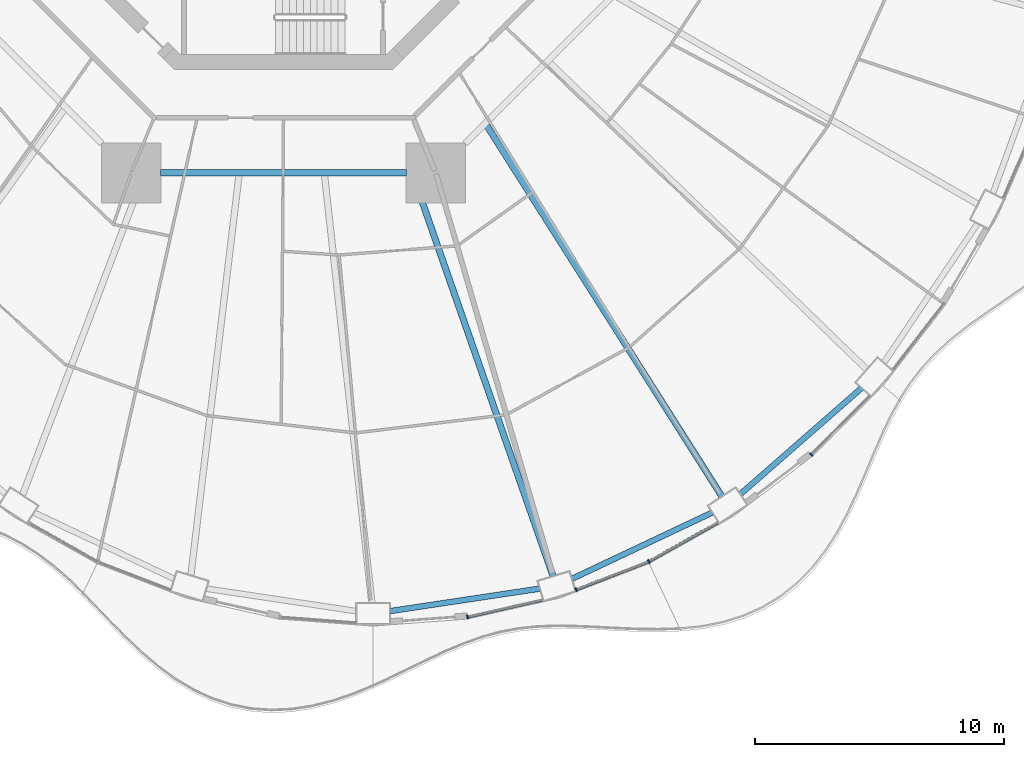
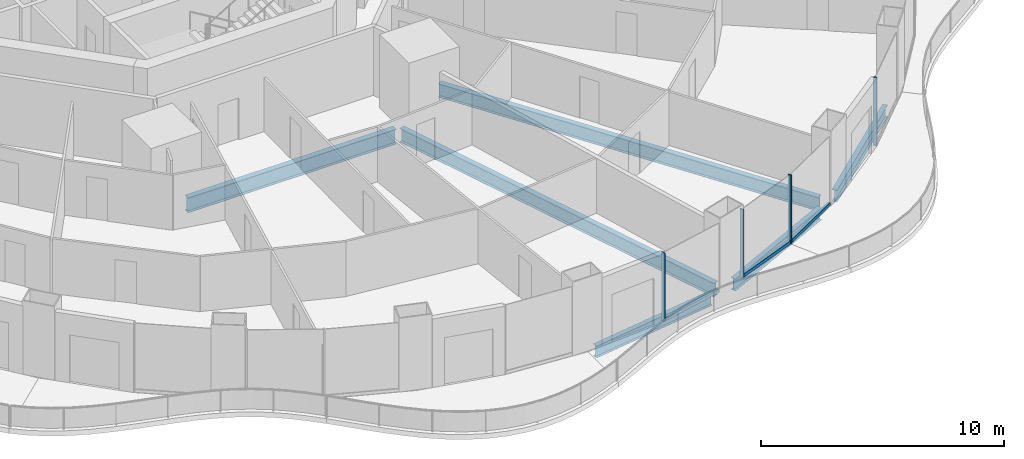
# One storey, part 4 of 22: 7 members, 6 beams, 4 elements without a shape of their own.
"""IFC4 building model written with IfcOpenShell, lengths in metres."""

import ifcopenshell
import ifcopenshell.guid

model = None  # the IFC model being written
_history = None  # IfcOwnerHistory: only IFC2X3 demands one
_inside = {}  # id of a spatial element -> (the spatial element, [elements in it])
_under = {}  # id of a project, library or spatial element -> (it, [spatial elements below it])
_declared = {}  # id of a project -> (the project, [libraries it declares])
_typed = {}  # id of a type object -> (the type object, [elements of that type])
_made_of = {}  # id of a material, layer set ... -> (it, [elements and type objects made of it])


def new_model(schema):
    """Start an empty IFC model of exactly this schema.

    Asked for "IFC4X3", IfcOpenShell would pick the latest addendum, in which some entities
    have other attributes; the version numbers below select the first issue.
    IFC2X3 requires an IfcOwnerHistory on every rooted entity: one is made here for all.
    """
    global model, _history
    if schema == "IFC4X3":
        model = ifcopenshell.file(schema_version=(4, 3, 0, 0))
    else:
        model = ifcopenshell.file(schema=schema)
    _inside.clear()
    _under.clear()
    _declared.clear()
    _typed.clear()
    _made_of.clear()
    _history = None
    if model.schema == "IFC2X3":
        org = make("IfcOrganization", Name="unknown")
        user = make(
            "IfcPersonAndOrganization",
            ThePerson=make("IfcPerson", FamilyName="unknown"),
            TheOrganization=org,
        )
        app = make(
            "IfcApplication",
            ApplicationDeveloper=org,
            Version="unknown",
            ApplicationFullName="unknown",
            ApplicationIdentifier="unknown",
        )
        _history = make(
            "IfcOwnerHistory",
            OwningUser=user,
            OwningApplication=app,
            ChangeAction="ADDED",
            CreationDate=0,
        )
    return model


def make(cls, **values):
    """One entity of the class cls with the attributes given. An attribute that is None is left unset."""
    return model.create_entity(
        cls, **{name: value for name, value in values.items() if value is not None}
    )


def rooted(cls, **values):
    """An entity with a GlobalId (a new one), such as an element, a storey or a relation."""
    return make(cls, GlobalId=ifcopenshell.guid.new(), OwnerHistory=_history, **values)


def si_unit(unit_type, name, prefix=None):
    """IfcSIUnit, for example si_unit("LENGTHUNIT", "METRE", prefix="MILLI")."""
    return make("IfcSIUnit", UnitType=unit_type, Prefix=prefix, Name=name)


def assignment(units):
    """IfcUnitAssignment: the units of a project."""
    return None if units is None else make("IfcUnitAssignment", Units=units)


def point(xyz):
    """IfcCartesianPoint."""
    return None if xyz is None else make("IfcCartesianPoint", Coordinates=xyz)


def direction(xyz):
    """IfcDirection."""
    return None if xyz is None else make("IfcDirection", DirectionRatios=xyz)


def frame(location, z_axis=None, x_axis=None):
    """IfcAxis2Placement3D, a coordinate frame: its origin and axes. An axis left out is left unset."""
    return make(
        "IfcAxis2Placement3D",
        Location=point(location),
        Axis=direction(z_axis),
        RefDirection=direction(x_axis),
    )


def frame_2d(location, x_axis=None):
    """IfcAxis2Placement2D, a coordinate frame in the plane: its origin and x axis."""
    return make(
        "IfcAxis2Placement2D", Location=point(location), RefDirection=direction(x_axis)
    )


def origin():
    """The frame at (0, 0, 0) with its axes left unset."""
    return frame((0.0, 0.0, 0.0))


def origin_2d():
    """The frame at (0, 0) in the plane with its x axis left unset."""
    return frame_2d((0.0, 0.0))


def place(relative_to, where):
    """IfcLocalPlacement: puts the frame where relative to a parent placement (None: the world)."""
    return make(
        "IfcLocalPlacement", PlacementRelTo=relative_to, RelativePlacement=where
    )


def context(
    kind, dimensions, precision=None, world=None, true_north=None, identifier=None
):
    """IfcGeometricRepresentationContext, for example the 3D "Model" context."""
    return make(
        "IfcGeometricRepresentationContext",
        ContextIdentifier=identifier,
        ContextType=kind,
        CoordinateSpaceDimension=dimensions,
        Precision=precision,
        WorldCoordinateSystem=world,
        TrueNorth=true_north,
    )


def subcontext(parent, identifier, kind, view, scale=None):
    """IfcGeometricRepresentationSubContext, for example "Body" below "Model"."""
    return make(
        "IfcGeometricRepresentationSubContext",
        ContextIdentifier=identifier,
        ContextType=kind,
        ParentContext=parent,
        TargetScale=scale,
        TargetView=view,
    )


def project(units=None, contexts=None):
    """IfcProject with its units and contexts."""
    return rooted(
        "IfcProject",
        Name="project",
        RepresentationContexts=contexts,
        UnitsInContext=assignment(units),
    )


def spatial(cls, under=None, at=None, **own):
    """A site, building, storey or space (cls), placed at a placement, below another one or the project."""
    s = rooted(cls, ObjectPlacement=at, **own)
    if under is not None:
        _under.setdefault(under.id(), (under, []))[1].append(s)
    return s


def profile(cls, at=None, kind="AREA", **sizes):
    """A parametric profile (cls). Its sizes go by their IFC names, for example OverallWidth=200.0."""
    return make(cls, ProfileType=kind, Position=at, **sizes)


def rectangle(**sizes):
    """IfcRectangleProfileDef."""
    return profile("IfcRectangleProfileDef", **sizes)


def i_section(**sizes):
    """IfcIShapeProfileDef."""
    return profile("IfcIShapeProfileDef", **sizes)


def extrude(swept, where, along, depth):
    """IfcExtrudedAreaSolid: the profile swept, set in the frame where, extruded along a direction by depth."""
    return make(
        "IfcExtrudedAreaSolid",
        SweptArea=swept,
        Position=where,
        ExtrudedDirection=direction(along),
        Depth=depth,
    )


def shape(context_of_items, identifier, shape_type, items):
    """IfcShapeRepresentation: the items that make up one representation, for example the "Body"."""
    return make(
        "IfcShapeRepresentation",
        ContextOfItems=context_of_items,
        RepresentationIdentifier=identifier,
        RepresentationType=shape_type,
        Items=items,
    )


def material(Name=None, Category=None):
    """IfcMaterial."""
    return make("IfcMaterial", Name=Name, Category=Category)


def layer(
    of_material, thickness, ventilated=None, Name=None, Category=None, Priority=None
):
    """IfcMaterialLayer: one layer of a wall or slab, of a material (None: an air gap)."""
    return make(
        "IfcMaterialLayer",
        Material=of_material,
        LayerThickness=thickness,
        IsVentilated=ventilated,
        Name=Name,
        Category=Category,
        Priority=Priority,
    )


def layer_set(layers, Name=None):
    """IfcMaterialLayerSet."""
    return make("IfcMaterialLayerSet", MaterialLayers=layers, LayerSetName=Name)


def material_profile(
    of_material, cross_section, Name=None, Category=None, Priority=None
):
    """IfcMaterialProfile: a cross section and its material."""
    return make(
        "IfcMaterialProfile",
        Name=Name,
        Material=of_material,
        Profile=cross_section,
        Priority=Priority,
        Category=Category,
    )


def profile_set(profiles, Name=None, composite=None):
    """IfcMaterialProfileSet."""
    return make(
        "IfcMaterialProfileSet",
        Name=Name,
        MaterialProfiles=profiles,
        CompositeProfile=composite,
    )


def made_of(thing, what):
    """Note that an element or type object is made of a material, layer set ...; save() writes the relation."""
    if what is not None:
        _made_of.setdefault(what.id(), (what, []))[1].append(thing)
    return thing


def type_object(cls, material=None, **own):
    """A type object (cls), such as IfcWallType, which elements share."""
    return made_of(rooted(cls, **own), material)


def element(
    cls,
    number,
    at=None,
    inside=None,
    cuts=None,
    type_object=None,
    material=None,
    context=None,
    identifier="Body",
    shape_type=None,
    held_by="IfcProductDefinitionShape",
    body=None,
    shapes=None,
    **own,
):
    """One element of the class cls, such as IfcWall. Its Tag is "e" and its number.

    at: its placement. inside: the storey or other place that contains it. cuts: it is an
    opening in that element (IfcRelVoidsElement). A single representation is given by context,
    identifier, shape_type and body (its items); several are given by shapes. held_by: the class
    of the entity that holds the representations. save() writes the other relations.
    """
    e = rooted(cls, Tag="e%d" % number, ObjectPlacement=at, **own)
    if body is not None:
        shapes = [shape(context, identifier, shape_type, body)]
    if shapes is not None:
        e.Representation = make(held_by, Representations=shapes)
    if inside is not None:
        _inside.setdefault(inside.id(), (inside, []))[1].append(e)
    if cuts is not None:
        rooted(
            "IfcRelVoidsElement", RelatingBuildingElement=cuts, RelatedOpeningElement=e
        )
    if type_object is not None:
        _typed.setdefault(type_object.id(), (type_object, []))[1].append(e)
    return made_of(e, material)


def aggregate(whole, parts):
    """IfcRelAggregates: a whole, such as a stair, and the parts it consists of."""
    return rooted("IfcRelAggregates", RelatingObject=whole, RelatedObjects=parts)


def save(model, path):
    """Write the relations noted so far, then the file.

    IfcRelAggregates (storeys below a building ...), IfcRelContainedInSpatialStructure (elements
    in a storey), IfcRelDefinesByType, IfcRelAssociatesMaterial and IfcRelDeclares: one each for
    every whole, place, type object, material and project.
    """
    for whole, parts in _under.values():
        aggregate(whole, parts)
    for where, things in _inside.values():
        rooted(
            "IfcRelContainedInSpatialStructure",
            RelatedElements=things,
            RelatingStructure=where,
        )
    for kind, things in _typed.values():
        rooted("IfcRelDefinesByType", RelatedObjects=things, RelatingType=kind)
    for what, things in _made_of.values():
        rooted("IfcRelAssociatesMaterial", RelatedObjects=things, RelatingMaterial=what)
    for by, libraries in _declared.values():
        rooted("IfcRelDeclares", RelatingContext=by, RelatedDefinitions=libraries)
    model.write(path)


model = new_model("IFC4")

# Units and contexts
model_context = context("Model", 3, precision=1e-05, world=origin(), true_north=direction((0.0, 1.0)))
body_context = subcontext(model_context, "Body", "Model", "MODEL_VIEW")
ifc_project = project(units=[si_unit("LENGTHUNIT", "METRE"), si_unit("AREAUNIT", "SQUARE_METRE"), si_unit("VOLUMEUNIT", "CUBIC_METRE"), si_unit("PLANEANGLEUNIT", "RADIAN"), si_unit("MASSUNIT", "GRAM", prefix="KILO")], contexts=[model_context])

# Site, building, storey
site_placement = place(None, origin())
site = spatial("IfcSite", under=ifc_project, at=site_placement, CompositionType="ELEMENT")
building_placement = place(site_placement, origin())
building = spatial("IfcBuilding", under=site, at=building_placement, Name="Nagisa Residences", CompositionType="ELEMENT")
storey_placement = place(building_placement, frame((0.0, 0.0, 49.199951171875)))
storey = spatial("IfcBuildingStorey", under=building, at=storey_placement, Name="L11", CompositionType="ELEMENT", Elevation=49.199951171875)

# Curtain wall, member
ifc_material_1 = material(Name="Concrete-coloured aluminium curtain wall system", Category="concrete")
ifc_layer = layer(ifc_material_1, 0.159912109375)
ifc_layer_set = layer_set([ifc_layer], Name="CW1 CURTAIN WALL")
curtain_wall_type = type_object("IfcCurtainWallType", Name="CW1 CURTAIN WALL", PredefinedType="NOTDEFINED", material=ifc_layer_set)
curtain_wall_1_placement = place(storey_placement, origin())
curtain_wall_1 = element("IfcCurtainWall", 1, at=curtain_wall_1_placement, inside=storey, type_object=curtain_wall_type, Name="cw:CW1:L11:37", PredefinedType="NOTDEFINED")
ifc_material_2 = material(Name="Concrete-coloured aluminium", Category="concrete")
ifc_material_profile_1 = material_profile(ifc_material_2, rectangle(XDim=0.159912109375, YDim=0.06005859375, at=origin_2d()), Name="CW1 MULLION 160x60")
ifc_profile_set_1 = profile_set([ifc_material_profile_1], Name="Concrete-coloured aluminium")
member_type_1 = type_object("IfcMemberType", Name="CW1 MULLION 160x60", PredefinedType="MULLION", material=ifc_profile_set_1)
member_1_placement = place(storey_placement, frame((7.39697265625, -32.633056640625, 0.0), z_axis=(0.0, 0.0, 1.0), x_axis=(-0.2207639201, 0.975327274089, 0.0)))
member_1 = element("IfcMember", 2, at=member_1_placement, type_object=member_type_1, Name="CW1 mullion", PredefinedType="MULLION", context=body_context, shape_type="SweptSolid", body=[
    extrude(rectangle(XDim=0.159912109375, YDim=0.06005859375, at=origin_2d()), origin(), (0.0, 0.0, 1.0), 3.43994140625),
])

curtain_wall_2_placement = place(storey_placement, origin())
curtain_wall_2 = element("IfcCurtainWall", 3, at=curtain_wall_2_placement, inside=storey, type_object=curtain_wall_type, Name="cw:CW1:L11:38", PredefinedType="NOTDEFINED")
member_2_placement = place(storey_placement, frame((11.7578125, -31.537841796875, 0.0), z_axis=(0.0, 0.0, 1.0), x_axis=(-0.360327770268, 0.932825759707, 0.0)))
member_2 = element("IfcMember", 4, at=member_2_placement, type_object=member_type_1, Name="CW1 mullion", PredefinedType="MULLION", context=body_context, shape_type="SweptSolid", body=[
    extrude(rectangle(XDim=0.159912109375, YDim=0.06005859375, at=origin_2d()), origin(), (0.0, 0.0, 1.0), 3.43994140625),
])

curtain_wall_3_placement = place(storey_placement, origin())
curtain_wall_3 = element("IfcCurtainWall", 5, at=curtain_wall_3_placement, inside=storey, type_object=curtain_wall_type, Name="cw:CW1:L11:39", PredefinedType="NOTDEFINED")
member_3_placement = place(storey_placement, frame((14.684814453125, -30.403564453125, 0.0), z_axis=(0.0, 0.0, 1.0), x_axis=(-0.489376918501, 0.872072377523, 0.0)))
member_3 = element("IfcMember", 6, at=member_3_placement, type_object=member_type_1, Name="CW1 mullion", PredefinedType="MULLION", context=body_context, shape_type="SweptSolid", body=[
    extrude(rectangle(XDim=0.159912109375, YDim=0.06005859375, at=origin_2d()), origin(), (0.0, 0.0, 1.0), 3.43994140625),
])

curtain_wall_4_placement = place(storey_placement, origin())
curtain_wall_4 = element("IfcCurtainWall", 7, at=curtain_wall_4_placement, inside=storey, type_object=curtain_wall_type, Name="cw:CW1:L11:41", PredefinedType="NOTDEFINED")
member_4_placement = place(storey_placement, frame((21.21875, -26.102783203125, 0.0), z_axis=(0.0, 0.0, 1.0), x_axis=(-0.706376885714, 0.707835924016, 0.0)))
member_4 = element("IfcMember", 8, at=member_4_placement, type_object=member_type_1, Name="CW1 mullion", PredefinedType="MULLION", context=body_context, shape_type="SweptSolid", body=[
    extrude(rectangle(XDim=0.159912109375, YDim=0.06005859375, at=origin_2d()), origin(), (0.0, 0.0, 1.0), 3.43994140625),
])
aggregate(curtain_wall_4, [member_4])

# Member
ifc_material_3 = material(Name="Concrete-coloured aluminium", Category="concrete")
ifc_material_profile_2 = material_profile(ifc_material_3, rectangle(XDim=0.1201171875, YDim=0.14990234375, at=origin_2d()), Name="CW1 TRANSOM 120x150")
ifc_profile_set_2 = profile_set([ifc_material_profile_2], Name="Concrete-coloured aluminium")
member_type_2 = type_object("IfcMemberType", Name="CW1 TRANSOM 120x150", PredefinedType="USERDEFINED", material=ifc_profile_set_2)
member_5_placement = place(storey_placement, frame((7.36767578125, -32.6396484375, 0.074951171875), z_axis=(0.975331134677, 0.220746863466, 0.0), x_axis=(-0.220746863466, 0.975331134677, 0.0)))
member_5 = element("IfcMember", 9, at=member_5_placement, type_object=member_type_2, Name="CW1 transom", ObjectType="TRANSOM", PredefinedType="USERDEFINED", context=body_context, shape_type="SweptSolid", body=[
    extrude(rectangle(XDim=0.1201171875, YDim=0.14990234375, at=origin_2d()), origin(), (0.0, 0.0, 1.0), 3.114501953125),
])

aggregate(curtain_wall_1, [member_1, member_5])

member_6_placement = place(storey_placement, frame((11.72998046875, -31.548583984375, 0.074951171875), z_axis=(0.932825366452, 0.360328788337, 0.0), x_axis=(-0.360328788337, 0.932825366452, 0.0)))
member_6 = element("IfcMember", 10, at=member_6_placement, type_object=member_type_2, Name="CW1 transom", ObjectType="TRANSOM", PredefinedType="USERDEFINED", context=body_context, shape_type="SweptSolid", body=[
    extrude(rectangle(XDim=0.1201171875, YDim=0.14990234375, at=origin_2d()), origin(), (0.0, 0.0, 1.0), 3.150634765625),
])

aggregate(curtain_wall_2, [member_2, member_6])

member_7_placement = place(storey_placement, frame((14.65869140625, -30.418212890625, 0.074951171875), z_axis=(0.872070011948, 0.489381133946, 0.0), x_axis=(-0.489381133946, 0.872070011948, 0.0)))
member_7 = element("IfcMember", 11, at=member_7_placement, type_object=member_type_2, Name="CW1 transom", ObjectType="TRANSOM", PredefinedType="USERDEFINED", context=body_context, shape_type="SweptSolid", body=[
    extrude(rectangle(XDim=0.1201171875, YDim=0.14990234375, at=origin_2d()), origin(), (0.0, 0.0, 1.0), 3.201171875),
])

aggregate(curtain_wall_3, [member_3, member_7])

# Beams
ifc_material_4 = material(Name="Steel ASTM A572 Gr 50", Category="steel")
ifc_material_profile_3 = material_profile(ifc_material_4, i_section(OverallWidth=0.264892578125, OverallDepth=0.7529296875, WebThickness=0.01318359375, FlangeThickness=0.01708984375, at=origin_2d()), Name="W760x147")
ifc_profile_set_3 = profile_set([ifc_material_profile_3], Name="Steel ASTM A572 Gr 50")
beam_type_1 = type_object("IfcBeamType", Name="Inner ring beam W760x147", PredefinedType="BEAM", material=ifc_profile_set_3)
beam_1_placement = place(storey_placement, frame((-4.94287109375, -14.781982421875, -0.636474609375), z_axis=(1.0, 0.0, 0.0), x_axis=(0.0, 1.0, 0.0)))
element("IfcBeam", 12, at=beam_1_placement, inside=storey, type_object=beam_type_1, Name="beam:L11:ib6", PredefinedType="BEAM", context=body_context, shape_type="SweptSolid", body=[
    extrude(i_section(OverallWidth=0.264892578125, OverallDepth=0.7529296875, WebThickness=0.01318359375, FlangeThickness=0.01708984375, at=origin_2d()), origin(), (0.0, 0.0, 1.0), 9.8857421875),
])
ifc_material_5 = material(Name="Steel ASTM A572 Gr 50", Category="steel")
ifc_material_profile_4 = material_profile(ifc_material_5, i_section(OverallWidth=0.22802734375, OverallDepth=0.60302734375, WebThickness=0.010498046875, FlangeThickness=0.014892578125, at=origin_2d()), Name="W610x101")
ifc_profile_set_4 = profile_set([ifc_material_profile_4], Name="Steel ASTM A572 Gr 50")
beam_type_2 = type_object("IfcBeamType", Name="Perimeter ring beam W610x101", PredefinedType="BEAM", material=ifc_profile_set_4)
beam_2_placement = place(storey_placement, frame((4.2802734375, -32.39794921875, -0.5615234375), z_axis=(0.988914559467, 0.14848566959, 0.0), x_axis=(-0.14848566959, 0.988914559467, 0.0)))
element("IfcBeam", 13, at=beam_2_placement, inside=storey, type_object=beam_type_2, Name="beam:L11:pb19", PredefinedType="BEAM", context=body_context, shape_type="SweptSolid", body=[
    extrude(i_section(OverallWidth=0.22802734375, OverallDepth=0.60302734375, WebThickness=0.010498046875, FlangeThickness=0.014892578125, at=origin_2d()), origin(), (0.0, 0.0, 1.0), 6.08349609375),
])
beam_3_placement = place(storey_placement, frame((11.597900390625, -31.098876953125, -0.5615234375), z_axis=(0.904215426643, 0.427076646774, 0.0), x_axis=(-0.427076646774, 0.904215426643, 0.0)))
element("IfcBeam", 14, at=beam_3_placement, inside=storey, type_object=beam_type_2, Name="beam:L11:pb20", PredefinedType="BEAM", context=body_context, shape_type="SweptSolid", body=[
    extrude(i_section(OverallWidth=0.22802734375, OverallDepth=0.60302734375, WebThickness=0.010498046875, FlangeThickness=0.014892578125, at=origin_2d()), origin(), (0.0, 0.0, 1.0), 6.2275390625),
])
beam_4_placement = place(storey_placement, frame((18.36669921875, -27.693603515625, -0.5615234375), z_axis=(0.7525907186, 0.658488580217, 0.0), x_axis=(-0.658488580217, 0.7525907186, 0.0)))
element("IfcBeam", 15, at=beam_4_placement, inside=storey, type_object=beam_type_2, Name="beam:L11:pb21", PredefinedType="BEAM", context=body_context, shape_type="SweptSolid", body=[
    extrude(i_section(OverallWidth=0.22802734375, OverallDepth=0.60302734375, WebThickness=0.010498046875, FlangeThickness=0.014892578125, at=origin_2d()), origin(), (0.0, 0.0, 1.0), 6.470458984375),
])
ifc_material_6 = material(Name="Steel ASTM A572 Gr 50", Category="steel")
ifc_material_profile_5 = material_profile(ifc_material_6, i_section(OverallWidth=0.25390625, OverallDepth=0.68408203125, WebThickness=0.012451171875, FlangeThickness=0.018798828125, at=origin_2d()), Name="W690x140")
ifc_profile_set_5 = profile_set([ifc_material_profile_5], Name="Steel ASTM A572 Gr 50")
beam_type_3 = type_object("IfcBeamType", Name="Radial beam W690x140", PredefinedType="BEAM", material=ifc_profile_set_5)
beam_5_placement = place(storey_placement, frame((10.834228515625, -30.986328125, -0.60205078125), z_axis=(-0.330051195485, 0.943963033364, 0.0), x_axis=(-0.943963033364, -0.330051195485, 0.0)))
element("IfcBeam", 16, at=beam_5_placement, inside=storey, type_object=beam_type_3, Name="beam:L11:rb20", PredefinedType="BEAM", context=body_context, shape_type="SweptSolid", body=[
    extrude(i_section(OverallWidth=0.25390625, OverallDepth=0.68408203125, WebThickness=0.012451171875, FlangeThickness=0.018798828125, at=origin_2d()), origin(), (0.0, 0.0, 1.0), 17.045654296875),
])
beam_6_placement = place(storey_placement, frame((17.61962890625, -27.78271484375, -0.60205078125), z_axis=(-0.53556610664, 0.844493306911, 0.0), x_axis=(-0.844493306911, -0.53556610664, 0.0)))
element("IfcBeam", 17, at=beam_6_placement, inside=storey, type_object=beam_type_3, Name="beam:L11:rb21", PredefinedType="BEAM", context=body_context, shape_type="SweptSolid", body=[
    extrude(i_section(OverallWidth=0.25390625, OverallDepth=0.68408203125, WebThickness=0.012451171875, FlangeThickness=0.018798828125, at=origin_2d()), origin(), (0.0, 0.0, 1.0), 17.63525390625),
])

save(model, "model.ifc")
